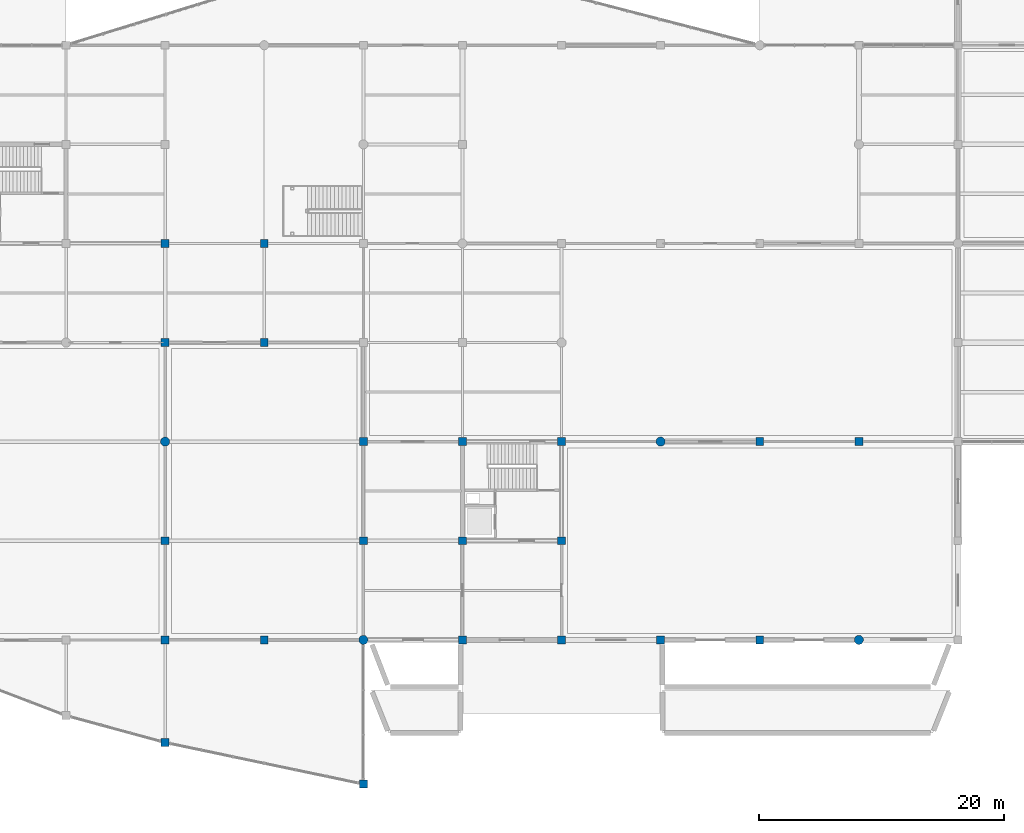
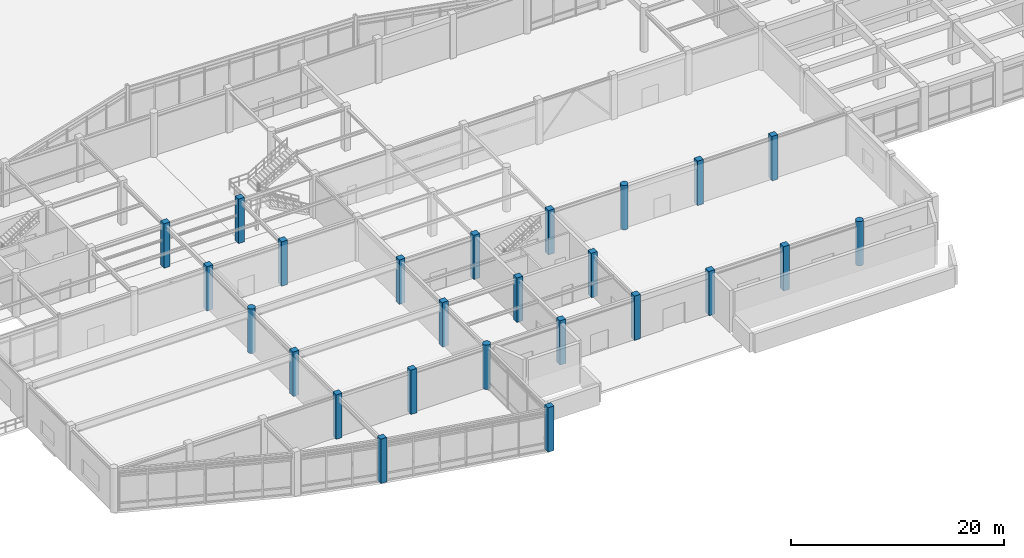
# One storey, part 4 of 99: 25 columns.
"""IFC4 building model written with IfcOpenShell, lengths in metres."""

from ifc_helpers import new_model, si_unit, direction, frame, origin, origin_2d, place, context, subcontext, project, spatial, rectangle, circle, extrude, material, material_profile, profile_set, type_object, element, save


model = new_model("IFC4")

# Units and contexts
model_context = context("Model", 3, precision=1e-05, world=origin(), true_north=direction((0.0, 1.0)))
body_context = subcontext(model_context, "Body", "Model", "MODEL_VIEW")
ifc_project = project(units=[si_unit("LENGTHUNIT", "METRE"), si_unit("AREAUNIT", "SQUARE_METRE"), si_unit("VOLUMEUNIT", "CUBIC_METRE"), si_unit("PLANEANGLEUNIT", "RADIAN"), si_unit("MASSUNIT", "GRAM", prefix="KILO")], contexts=[model_context])

# Site, building, storey
site_placement = place(None, origin())
site = spatial("IfcSite", under=ifc_project, at=site_placement, CompositionType="ELEMENT")
building_placement = place(site_placement, origin())
building = spatial("IfcBuilding", under=site, at=building_placement, Name="Vaudrelin Polytechnic", CompositionType="ELEMENT")
storey_placement = place(building_placement, origin())
storey = spatial("IfcBuildingStorey", under=building, at=storey_placement, Name="L00", CompositionType="ELEMENT", Elevation=0.0)

# Columns
ifc_material_1 = material(Name="Concrete 40 MPa", Category="concrete")
ifc_material_profile_1 = material_profile(ifc_material_1, rectangle(XDim=0.64990234375, YDim=0.64990234375, at=origin_2d()), Name="RC650x650")
ifc_profile_set_1 = profile_set([ifc_material_profile_1], Name="Concrete 40 MPa")
column_type_1 = type_object("IfcColumnType", Name="COL-C-RC650", PredefinedType="COLUMN", material=ifc_profile_set_1)
for number, where, z_axis, x_axis, name in (
    (1, (64.800048828125, 0.0, 0.0), (0.0, 0.0, 1.0), (1.0, 0.0, 0.0), "Column L00 9-1"),
    (2, (64.800048828125, 8.10009765625, 0.0), (0.0, 0.0, 1.0), (1.0, 0.0, 0.0), "Column L00 9-2"),
    (3, (64.800048828125, 24.300048828125, 0.0), (0.0, 0.0, 1.0), (1.0, 0.0, 0.0), "Column L00 9-4"),
    (4, (64.800048828125, 32.39990234375, 0.0), (0.0, 0.0, 1.0), (1.0, 0.0, 0.0), "Column L00 9-5"),
    (5, (72.89990234375, 0.0, 0.0), (0.0, 0.0, 1.0), (1.0, 0.0, 0.0), "Column L00 10-1"),
    (6, (72.89990234375, 24.300048828125, 0.0), (0.0, 0.0, 1.0), (1.0, 0.0, 0.0), "Column L00 10-4"),
    (7, (72.89990234375, 32.39990234375, 0.0), (0.0, 0.0, 1.0), (1.0, 0.0, 0.0), "Column L00 10-5"),
    (8, (81.0, 8.10009765625, 0.0), (0.0, 0.0, 1.0), (1.0, 0.0, 0.0), "Column L00 11-2"),
    (9, (81.0, 16.199951171875, 0.0), (0.0, 0.0, 1.0), (1.0, 0.0, 0.0), "Column L00 11-3"),
    (10, (89.10009765625, 0.0, 0.0), (0.0, 0.0, 1.0), (1.0, 0.0, 0.0), "Column L00 12-1"),
    (11, (89.10009765625, 8.10009765625, 0.0), (0.0, 0.0, 1.0), (1.0, 0.0, 0.0), "Column L00 12-2"),
    (12, (89.10009765625, 16.199951171875, 0.0), (0.0, 0.0, 1.0), (1.0, 0.0, 0.0), "Column L00 12-3"),
    (13, (97.199951171875, 0.0, 0.0), (0.0, 0.0, 1.0), (1.0, 0.0, 0.0), "Column L00 13-1"),
    (14, (97.199951171875, 8.10009765625, 0.0), (0.0, 0.0, 1.0), (1.0, 0.0, 0.0), "Column L00 13-2"),
    (15, (97.199951171875, 16.199951171875, 0.0), (0.0, 0.0, 1.0), (1.0, 0.0, 0.0), "Column L00 13-3"),
    (16, (105.300048828125, 0.0, 0.0), (0.0, 0.0, 1.0), (1.0, 0.0, 0.0), "Column L00 14-1"),
    (17, (113.39990234375, 0.0, 0.0), (0.0, 0.0, 1.0), (1.0, 0.0, 0.0), "Column L00 15-1"),
    (18, (113.39990234375, 16.199951171875, 0.0), (0.0, 0.0, 1.0), (1.0, 0.0, 0.0), "Column L00 15-3"),
    (19, (121.5, 16.199951171875, 0.0), (0.0, 0.0, 1.0), (1.0, 0.0, 0.0), "Column L00 16-3"),
    (20, (64.800048828125, -8.39990234375, 0.0), (0.0, 0.0, 1.0), (1.0, 0.0, 0.0), "Deconstructivist column L00 V2P_8"),
    (21, (81.0, -11.800048828125, 0.0), (0.0, 0.0, 1.0), (1.0, 0.0, 0.0), "Deconstructivist column L00 V2P_10"),
):
    element("IfcColumn", number, at=place(storey_placement, frame(where, z_axis=z_axis, x_axis=x_axis)), inside=storey, type_object=column_type_1, Name=name, PredefinedType="COLUMN", context=body_context, shape_type="SweptSolid", body=[
        extrude(rectangle(XDim=0.64990234375, YDim=0.64990234375, at=origin_2d()), origin(), (0.0, 0.0, 1.0), 5.10009765625),
    ])
ifc_material_2 = material(Name="Concrete 50 MPa", Category="concrete")
ifc_material_profile_2 = material_profile(ifc_material_2, circle(Radius=0.375, at=origin_2d()), Name="RCCOL750")
ifc_profile_set_2 = profile_set([ifc_material_profile_2], Name="Concrete 50 MPa")
column_type_2 = type_object("IfcColumnType", Name="COL-C-RCD750", PredefinedType="COLUMN", material=ifc_profile_set_2)
for number, where, z_axis, x_axis, name in (
    (22, (64.800048828125, 16.199951171875, 0.0), (0.0, 0.0, 1.0), (1.0, 0.0, 0.0), "Column L00 9-3"),
    (23, (81.0, 0.0, 0.0), (0.0, 0.0, 1.0), (1.0, 0.0, 0.0), "Column L00 11-1"),
    (24, (105.300048828125, 16.199951171875, 0.0), (0.0, 0.0, 1.0), (1.0, 0.0, 0.0), "Column L00 14-3"),
    (25, (121.5, 0.0, 0.0), (0.0, 0.0, 1.0), (1.0, 0.0, 0.0), "Column L00 16-1"),
):
    element("IfcColumn", number, at=place(storey_placement, frame(where, z_axis=z_axis, x_axis=x_axis)), inside=storey, type_object=column_type_2, Name=name, PredefinedType="COLUMN", context=body_context, shape_type="SweptSolid", body=[
        extrude(circle(Radius=0.375, at=origin_2d()), origin(), (0.0, 0.0, 1.0), 5.10009765625),
    ])

save(model, "model.ifc")
